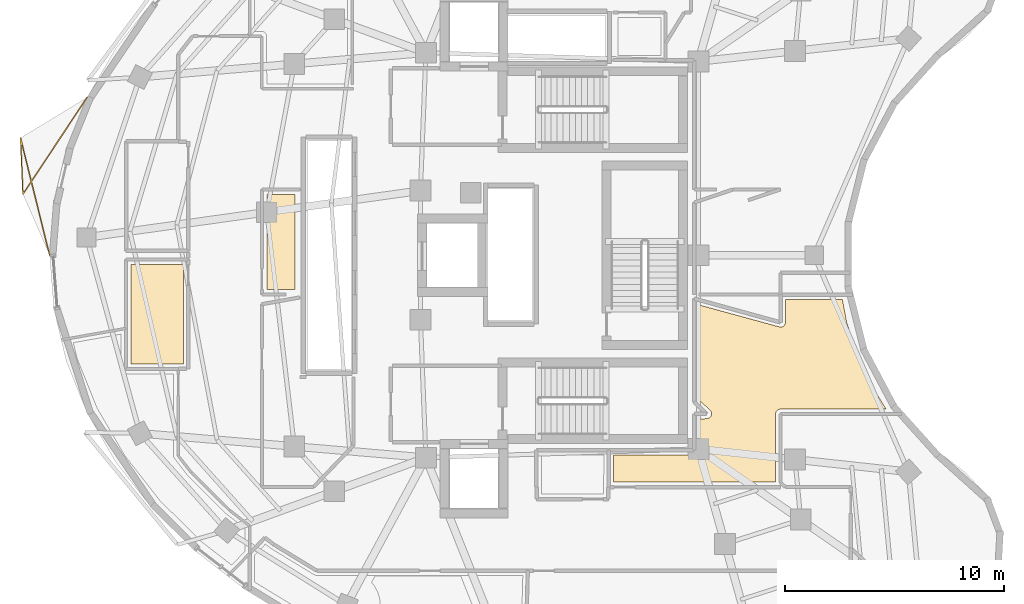
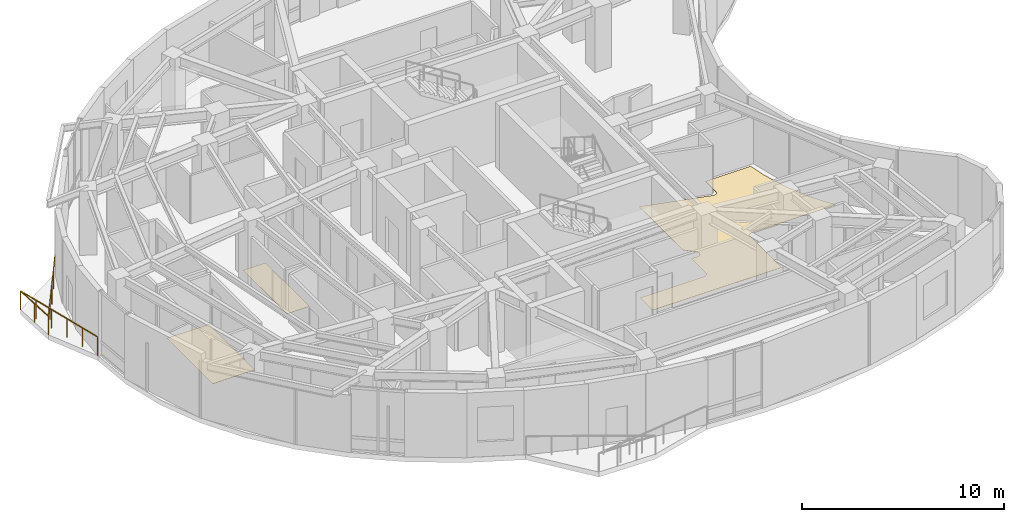
# One storey, part 12 of 14: 3 coverings, 1 railing.
"""IFC4 building model written with IfcOpenShell, lengths in metres."""

from ifc_helpers import new_model, si_unit, direction, frame, origin, origin_2d, place, context, subcontext, project, spatial, polyline, rectangle, outline, extrude, material, layer, layer_set, type_object, element, save


model = new_model("IFC4")

# Units and contexts
model_context = context("Model", 3, precision=1e-05, world=origin(), true_north=direction((0.0, 1.0)))
body_context = subcontext(model_context, "Body", "Model", "MODEL_VIEW")
ifc_project = project(units=[si_unit("LENGTHUNIT", "METRE"), si_unit("AREAUNIT", "SQUARE_METRE"), si_unit("VOLUMEUNIT", "CUBIC_METRE"), si_unit("PLANEANGLEUNIT", "RADIAN"), si_unit("MASSUNIT", "GRAM", prefix="KILO")], contexts=[model_context])

# Site, building, storey
site_placement = place(None, origin())
site = spatial("IfcSite", under=ifc_project, at=site_placement, CompositionType="ELEMENT")
building_placement = place(site_placement, origin())
building = spatial("IfcBuilding", under=site, at=building_placement, Name="Korentha Bioscience Tower", CompositionType="ELEMENT")
storey_placement = place(building_placement, frame((0.0, 0.0, 264.60009765625)))
storey = spatial("IfcBuildingStorey", under=building, at=storey_placement, Name="L61", CompositionType="ELEMENT", Elevation=264.60009765625)

# Railing
ifc_material_1 = material(Name="Laminated Tempered Safety Glass", Category="glass")
railing_type = type_object("IfcRailingType", Name="Laminated Glass Balcony Guardrail 1150", PredefinedType="BALUSTRADE", material=ifc_material_1)
railing_placement = place(storey_placement, frame((9.61767578125, 34.20458984375, 0.0)))
element("IfcRailing", 1, at=railing_placement, inside=storey, type_object=railing_type, Name="L61 Balcony Guardrail 02", PredefinedType="BALUSTRADE", context=body_context, shape_type="SweptSolid", body=[
    extrude(rectangle(XDim=0.048095703125, YDim=0.048095703125, at=origin_2d()), frame((0.0, 0.0, 1.1259765625), z_axis=(-0.552137133001, -0.833753312654, 0.0), x_axis=(0.833753312654, -0.552137133001, 0.0)), (0.0, 0.0, 1.0), 5.302978515625),
    extrude(rectangle(XDim=0.048095703125, YDim=0.048095703125, at=origin_2d()), frame((-2.927978515625, -4.42138671875, 1.1259765625), z_axis=(-0.042158578106, 0.999110931925, 0.0), x_axis=(-0.999110931925, -0.042158578106, 0.0)), (0.0, 0.0, 1.0), 2.576904296875),
    extrude(rectangle(XDim=0.048095703125, YDim=0.048095703125, at=origin_2d()), frame((-3.03662109375, -1.8466796875, 1.1259765625), z_axis=(0.240557855042, -0.970634801755, 0.0), x_axis=(0.970634801755, 0.240557855042, 0.0)), (0.0, 0.0, 1.0), 5.52001953125),
    extrude(rectangle(XDim=0.0419921875, YDim=0.0419921875, at=origin_2d()), origin(), (0.0, 0.0, 1.0), 1.101806640625),
    extrude(rectangle(XDim=0.0419921875, YDim=0.0419921875, at=origin_2d()), frame((-0.73193359375, -1.10546875, 0.0)), (0.0, 0.0, 1.0), 1.101806640625),
    extrude(rectangle(XDim=0.0419921875, YDim=0.0419921875, at=origin_2d()), frame((-1.4638671875, -2.210693359375, 0.0)), (0.0, 0.0, 1.0), 1.101806640625),
    extrude(rectangle(XDim=0.0419921875, YDim=0.0419921875, at=origin_2d()), frame((-2.196044921875, -3.31591796875, 0.0)), (0.0, 0.0, 1.0), 1.101806640625),
    extrude(rectangle(XDim=0.0419921875, YDim=0.0419921875, at=origin_2d()), frame((-2.927978515625, -4.42138671875, 0.0)), (0.0, 0.0, 1.0), 1.101806640625),
    extrude(rectangle(XDim=0.0419921875, YDim=0.0419921875, at=origin_2d()), frame((-2.982421875, -3.134033203125, 0.0)), (0.0, 0.0, 1.0), 1.101806640625),
    extrude(rectangle(XDim=0.0419921875, YDim=0.0419921875, at=origin_2d()), frame((-3.03662109375, -1.8466796875, 0.0)), (0.0, 0.0, 1.0), 1.101806640625),
    extrude(rectangle(XDim=0.0419921875, YDim=0.0419921875, at=origin_2d()), frame((-2.77099609375, -2.918212890625, 0.0)), (0.0, 0.0, 1.0), 1.101806640625),
    extrude(rectangle(XDim=0.0419921875, YDim=0.0419921875, at=origin_2d()), frame((-2.50537109375, -3.98974609375, 0.0)), (0.0, 0.0, 1.0), 1.101806640625),
    extrude(rectangle(XDim=0.0419921875, YDim=0.0419921875, at=origin_2d()), frame((-2.239990234375, -5.0615234375, 0.0)), (0.0, 0.0, 1.0), 1.101806640625),
    extrude(rectangle(XDim=0.0419921875, YDim=0.0419921875, at=origin_2d()), frame((-1.974365234375, -6.133056640625, 0.0)), (0.0, 0.0, 1.0), 1.101806640625),
    extrude(rectangle(XDim=0.0419921875, YDim=0.0419921875, at=origin_2d()), frame((-1.708740234375, -7.20458984375, 0.0)), (0.0, 0.0, 1.0), 1.101806640625),
])

# Coverings
ifc_material_2 = material(Name="Chemical-Resistant Epoxy Resin", Category="polymer")
ifc_layer = layer(ifc_material_2, 0.011962890625, Name="Chemical-Resistant Epoxy Resin")
ifc_layer_set = layer_set([ifc_layer], Name="Chemical-Resistant Epoxy Resin (FL-EPX)")
covering_type = type_object("IfcCoveringType", Name="Seamless Epoxy Laboratory Flooring 12", PredefinedType="FLOORING", material=ifc_layer_set)
covering_1_placement = place(storey_placement, origin())
element("IfcCovering", 2, at=covering_1_placement, inside=storey, type_object=covering_type, Name="L61 Reclaimed Bank-1 Cold Freezer Alcove Floor Finish", PredefinedType="FLOORING", context=body_context, shape_type="SweptSolid", body=[
    extrude(outline(polyline([(14.02001953125, 22.030029296875), (11.6201171875, 22.02099609375), (11.6201171875, 26.580078125), (14.02001953125, 26.580078125), (14.02001953125, 22.030029296875)])), origin(), (0.0, 0.0, 1.0), 0.011962890625),
])
covering_2_placement = place(storey_placement, origin())
element("IfcCovering", 3, at=covering_2_placement, inside=storey, type_object=covering_type, Name="L61 Solvent and Chemical Weighing Room 07 Floor Finish", PredefinedType="FLOORING", context=body_context, shape_type="SweptSolid", body=[
    extrude(outline(polyline([(37.940185546875, 19.5283203125), (38.045654296875, 19.560791015625), (38.111083984375, 19.62109375), (38.1513671875, 19.72412109375), (38.1376953125, 19.83349609375), (38.089599609375, 19.908203125), (37.580078125, 20.3837890625), (37.580078125, 24.725830078125), (41.302978515625, 23.710205078125), (41.386962890625, 23.728515625), (41.4423828125, 23.7626953125), (41.49609375, 23.82958984375), (41.517822265625, 23.89111328125), (41.52197265625, 24.977783203125), (44.126220703125, 24.97802734375), (44.31640625, 23.967529296875), (44.77587890625, 22.5185546875), (45.390625, 21.170166015625), (46.1181640625, 19.97802734375), (41.302001953125, 19.97802734375), (41.183349609375, 19.945068359375), (41.1044921875, 19.86572265625), (41.072265625, 19.7587890625), (41.072021484375, 16.6298828125), (33.679931640625, 16.6298828125), (33.679931640625, 17.8701171875), (37.35009765625, 17.8701171875), (37.486572265625, 17.9150390625), (37.547607421875, 17.982177734375), (37.57958984375, 18.088134765625), (37.580078125, 19.528076171875), (37.940185546875, 19.5283203125)])), origin(), (0.0, 0.0, 1.0), 0.011962890625),
])
covering_3_placement = place(storey_placement, origin())
element("IfcCovering", 4, at=covering_3_placement, inside=storey, type_object=covering_type, Name="L61 Staff Tea and Espresso Break Lounge 11 Floor Finish", PredefinedType="FLOORING", context=body_context, shape_type="SweptSolid", body=[
    extrude(outline(polyline([(17.830078125, 25.422119140625), (17.830078125, 29.778076171875), (19.1201171875, 29.778076171875), (19.1201171875, 25.422119140625), (17.830078125, 25.422119140625)])), origin(), (0.0, 0.0, 1.0), 0.011962890625),
])

save(model, "model.ifc")
